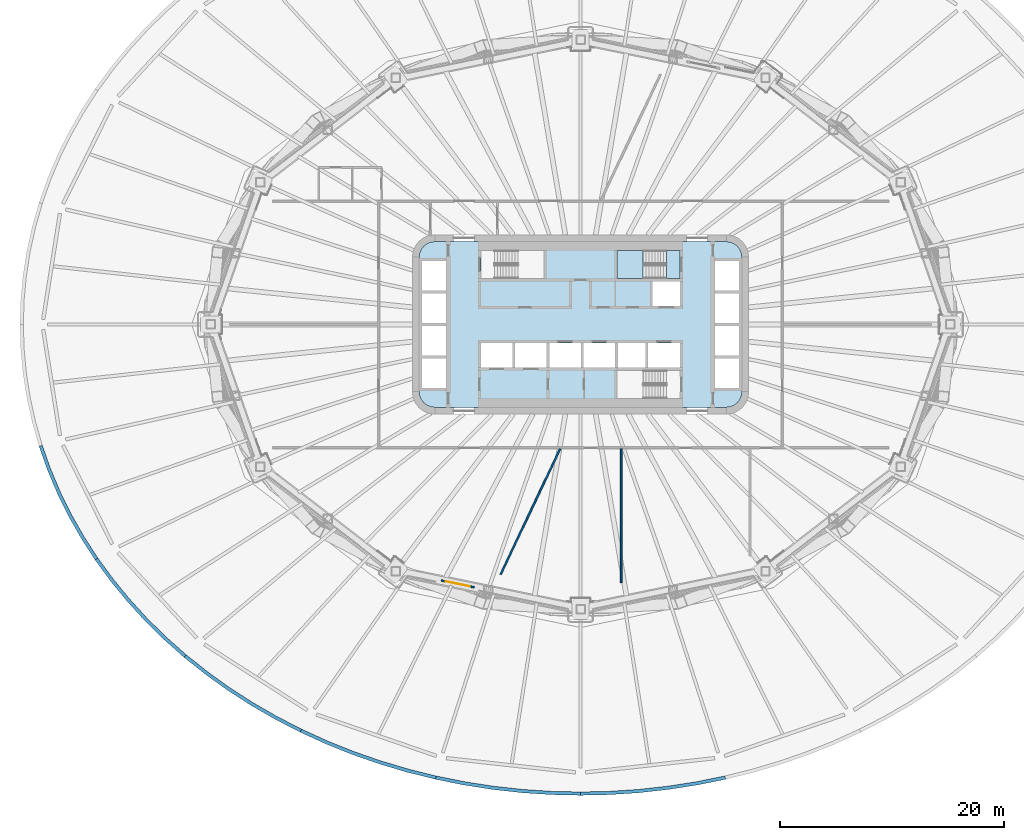
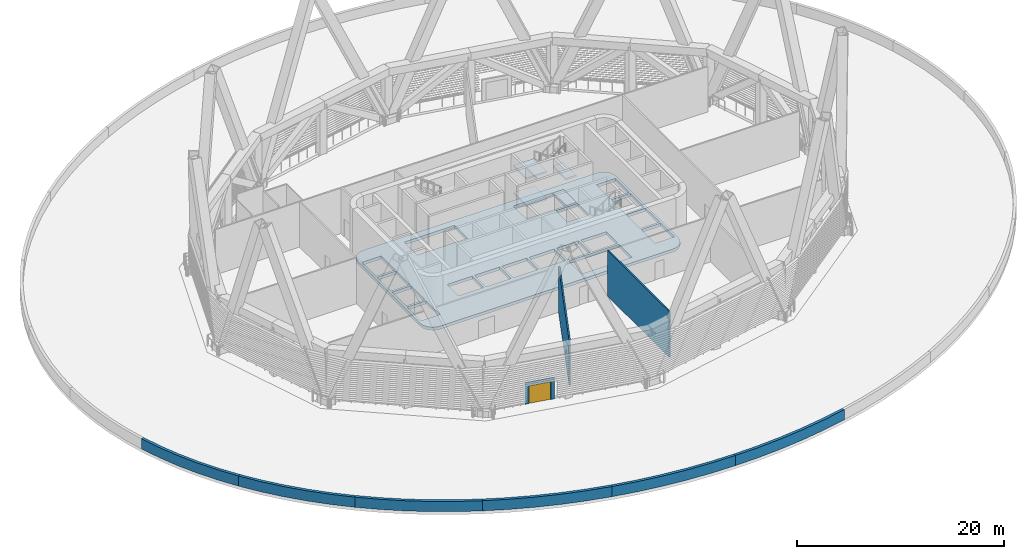
# One storey, part 7 of 27: 9 walls, 5 slabs, 1 door, 1 opening, 1 element without a shape of its own.
"""IFC4 building model written with IfcOpenShell, lengths in metres."""

from ifc_helpers import new_model, si_unit, direction, frame, frame_2d, origin, place, context, subcontext, project, spatial, polyline, rectangle, outline, extrude, material, layer, layer_set, type_object, element, fill, aggregate, save


model = new_model("IFC4")

# Units and contexts
model_context = context("Model", 3, precision=1e-05, world=origin(), true_north=direction((0.0, 1.0)))
body_context = subcontext(model_context, "Body", "Model", "MODEL_VIEW")
ifc_project = project(units=[si_unit("LENGTHUNIT", "METRE"), si_unit("AREAUNIT", "SQUARE_METRE"), si_unit("VOLUMEUNIT", "CUBIC_METRE"), si_unit("PLANEANGLEUNIT", "RADIAN"), si_unit("MASSUNIT", "GRAM", prefix="KILO")], contexts=[model_context])

# Site, building, storey
site_placement = place(None, origin())
site = spatial("IfcSite", under=ifc_project, at=site_placement, CompositionType="ELEMENT")
building_placement = place(site_placement, origin())
building = spatial("IfcBuilding", under=site, at=building_placement, Name="Sahrelin Media Tower", CompositionType="ELEMENT")
storey_placement = place(building_placement, frame((0.0, 0.0, 44.0)))
storey = spatial("IfcBuildingStorey", under=building, at=storey_placement, Name="L06", CompositionType="ELEMENT", Elevation=44.0)

# Slab
ifc_material_1 = material(Name="Concrete C40/50", Category="concrete")
ifc_layer_1 = layer(ifc_material_1, 0.35009765625)
ifc_layer_set_1 = layer_set([ifc_layer_1], Name="Core floor slab 350")
slab_type_1 = type_object("IfcSlabType", Name="Core floor slab 350", PredefinedType="FLOOR", material=ifc_layer_set_1)
slab_1_placement = place(storey_placement, frame((0.0, 0.0, -0.35009765625)))
element("IfcSlab", 1, at=slab_1_placement, inside=storey, type_object=slab_type_1, Name="Core floor", PredefinedType="FLOOR", context=body_context, shape_type="SweptSolid", body=[
    extrude(outline(polyline([(-13.986328125, 6.986328125), (-14.2080078125, 6.697509765625), (-14.347412109375, 6.361083984375), (-14.39990234375, 5.960693359375), (-14.39990234375, -5.960693359375), (-14.347412109375, -6.361083984375), (-14.2080078125, -6.697509765625), (-13.986328125, -6.986328125), (-13.697509765625, -7.2080078125), (-13.361083984375, -7.347412109375), (-12.960693359375, -7.39990234375), (12.960693359375, -7.39990234375), (13.361083984375, -7.347412109375), (13.697509765625, -7.2080078125), (13.986328125, -6.986328125), (14.2080078125, -6.697509765625), (14.347412109375, -6.361083984375), (14.39990234375, -5.960693359375), (14.39990234375, 5.960693359375), (14.347412109375, 6.361083984375), (14.2080078125, 6.697509765625), (13.986328125, 6.986328125), (13.697509765625, 7.2080078125), (13.361083984375, 7.347412109375), (12.960693359375, 7.39990234375), (-12.960693359375, 7.39990234375), (-13.361083984375, 7.347412109375), (-13.697509765625, 7.2080078125), (-13.986328125, 6.986328125)]), holes=[polyline([(-14.14990234375, 5.675048828125), (-14.14990234375, 3.02490234375), (-12.0, 3.02490234375), (-12.0, 5.675048828125), (-14.14990234375, 5.675048828125)]), polyline([(-12.0, 2.77490234375), (-14.14990234375, 2.77490234375), (-14.14990234375, 0.125), (-12.0, 0.125), (-12.0, 2.77490234375)]), polyline([(-12.0, -2.77490234375), (-12.0, -0.125), (-14.14990234375, -0.125), (-14.14990234375, -2.77490234375), (-12.0, -2.77490234375)]), polyline([(-14.14990234375, -5.675048828125), (-12.0, -5.675048828125), (-12.0, -3.02490234375), (-14.14990234375, -3.02490234375), (-14.14990234375, -5.675048828125)]), polyline([(12.0, 5.675048828125), (12.0, 3.02490234375), (14.14990234375, 3.02490234375), (14.14990234375, 5.675048828125), (12.0, 5.675048828125)]), polyline([(14.14990234375, 2.77490234375), (12.0, 2.77490234375), (12.0, 0.125), (14.14990234375, 0.125), (14.14990234375, 2.77490234375)]), polyline([(14.14990234375, -2.77490234375), (14.14990234375, -0.125), (12.0, -0.125), (12.0, -2.77490234375), (14.14990234375, -2.77490234375)]), polyline([(12.0, -5.675048828125), (14.14990234375, -5.675048828125), (14.14990234375, -3.02490234375), (12.0, -3.02490234375), (12.0, -5.675048828125)]), polyline([(6.425048828125, 3.85009765625), (6.425048828125, 1.64990234375), (8.875, 1.64990234375), (8.875, 3.85009765625), (6.425048828125, 3.85009765625)]), polyline([(-6.074951171875, -1.64990234375), (-8.875, -1.64990234375), (-8.875, -3.85009765625), (-6.074951171875, -3.85009765625), (-6.074951171875, -1.64990234375)]), polyline([(-3.02490234375, -3.85009765625), (-3.02490234375, -1.64990234375), (-5.824951171875, -1.64990234375), (-5.824951171875, -3.85009765625), (-3.02490234375, -3.85009765625)]), polyline([(-2.77490234375, -3.85009765625), (0.02490234375, -3.85009765625), (0.02490234375, -1.64990234375), (-2.77490234375, -1.64990234375), (-2.77490234375, -3.85009765625)]), polyline([(0.27490234375, -1.64990234375), (0.27490234375, -3.85009765625), (3.074951171875, -3.85009765625), (3.074951171875, -1.64990234375), (0.27490234375, -1.64990234375)]), polyline([(5.77490234375, -1.64990234375), (3.324951171875, -1.64990234375), (3.324951171875, -3.85009765625), (5.77490234375, -3.85009765625), (5.77490234375, -1.64990234375)]), polyline([(8.875, -3.85009765625), (8.875, -1.64990234375), (6.02490234375, -1.64990234375), (6.02490234375, -3.85009765625), (8.875, -3.85009765625)]), polyline([(-8.875, 6.60009765625), (-8.875, 4.10009765625), (-3.27490234375, 4.10009765625), (-3.27490234375, 6.60009765625), (-8.875, 6.60009765625)]), polyline([(3.27490234375, 4.10009765625), (8.875, 4.10009765625), (8.875, 6.60009765625), (3.27490234375, 6.60009765625), (3.27490234375, 4.10009765625)]), polyline([(3.27490234375, -4.10009765625), (3.27490234375, -6.60009765625), (8.875, -6.60009765625), (8.875, -4.10009765625), (3.27490234375, -4.10009765625)])]), origin(), (0.0, 0.0, 1.0), 0.35009765625),
])

# Stair, slabs
stair_type = type_object("IfcStairType", Name="Exit stair 1200", PredefinedType="HALF_TURN_STAIR", material=ifc_material_1)
placement = place(storey_placement, origin())
stair = element("IfcStair", 2, at=placement, inside=storey, type_object=stair_type, Name="L06 Exit stair ST3", PredefinedType="HALF_TURN_STAIR")
ifc_layer_2 = layer(ifc_material_1, 0.199951171875)
ifc_layer_set_2 = layer_set([ifc_layer_2], Name="Stair landing 200")
slab_type_2 = type_object("IfcSlabType", Name="Stair landing 200", PredefinedType="LANDING", material=ifc_layer_set_2)
slab_2_placement = place(storey_placement, frame((0.0, 0.0, 1.39990234375)))
slab_2 = element("IfcSlab", 3, at=slab_2_placement, type_object=slab_type_2, Name="ST3 landing 1", PredefinedType="LANDING", context=body_context, shape_type="SweptSolid", body=[
    extrude(outline(polyline([(5.594970703125, 6.60009765625), (3.27490234375, 6.60009765625), (3.27490234375, 4.10009765625), (5.594970703125, 4.10009765625), (5.594970703125, 6.60009765625)])), origin(), (0.0, 0.0, 1.0), 0.2001953125),
])
slab_3_placement = place(storey_placement, frame((0.0, 0.0, 3.0)))
slab_3 = element("IfcSlab", 4, at=slab_3_placement, type_object=slab_type_2, Name="ST3 landing 2", PredefinedType="LANDING", context=body_context, shape_type="SweptSolid", body=[
    extrude(outline(polyline([(8.875, 6.60009765625), (7.675048828125, 6.60009765625), (7.675048828125, 4.10009765625), (8.875, 4.10009765625), (8.875, 6.60009765625)])), origin(), (0.0, 0.0, 1.0), 0.199951171875),
])
slab_4_placement = place(storey_placement, frame((0.0, 0.0, 4.60009765625)))
slab_4 = element("IfcSlab", 5, at=slab_4_placement, type_object=slab_type_2, Name="ST3 landing 3", PredefinedType="LANDING", context=body_context, shape_type="SweptSolid", body=[
    extrude(outline(polyline([(5.594970703125, 6.60009765625), (3.27490234375, 6.60009765625), (3.27490234375, 4.10009765625), (5.594970703125, 4.10009765625), (5.594970703125, 6.60009765625)])), origin(), (0.0, 0.0, 1.0), 0.199951171875),
])
slab_5_placement = place(storey_placement, frame((0.0, 0.0, -0.199951171875)))
slab_5 = element("IfcSlab", 6, at=slab_5_placement, type_object=slab_type_2, Name="ST3 landing 4", PredefinedType="LANDING", context=body_context, shape_type="SweptSolid", body=[
    extrude(outline(polyline([(8.875, 6.60009765625), (7.675048828125, 6.60009765625), (7.675048828125, 4.10009765625), (8.875, 4.10009765625), (8.875, 6.60009765625)])), origin(), (0.0, 0.0, 1.0), 0.199951171875),
])
aggregate(stair, [slab_2, slab_3, slab_4, slab_5])

# Walls
ifc_material_2 = material(Name="Fire-rated gypsum board partition")
ifc_layer_3 = layer(ifc_material_2, 0.14990234375)
ifc_layer_set_3 = layer_set([ifc_layer_3], Name="Fire-rated partition 150")
wall_type_1 = type_object("IfcWallType", Name="Fire-rated partition 150", PredefinedType="PARTITIONING", material=ifc_layer_set_3)
wall_1_placement = place(storey_placement, frame((-1.829345703125, -11.107177734375, 0.0), z_axis=(0.0, 0.0, 1.0), x_axis=(-0.427950706934, -0.903802075918, 0.0)))
element("IfcWall", 7, at=wall_1_placement, inside=storey, type_object=wall_type_1, Name="Wall", PredefinedType="PARTITIONING", context=body_context, shape_type="SweptSolid", body=[
    extrude(rectangle(XDim=12.380126953125, YDim=0.14990234375, at=frame_2d((6.18994140625, 0.0))), origin(), (0.0, 0.0, 1.0), 5.39501953125),
])
wall_2_placement = place(storey_placement, frame((3.6298828125, -11.074951171875, 0.0), z_axis=(0.0, 0.0, 1.0), x_axis=(0.0, -1.0, 0.0)))
element("IfcWall", 8, at=wall_2_placement, inside=storey, type_object=wall_type_1, Name="Wall", PredefinedType="PARTITIONING", context=body_context, shape_type="SweptSolid", body=[
    extrude(rectangle(XDim=11.942626953125, YDim=0.14990234375, at=frame_2d((5.97119140625, 0.0))), origin(), (0.0, 0.0, 1.0), 5.39501953125),
])

# Wall, opening, door
ifc_material_3 = material(Name="Aluminium louvre cladding 6063-T6", Category="aluminium")
ifc_layer_4 = layer(ifc_material_3, 0.14990234375)
ifc_layer_set_4 = layer_set([ifc_layer_4], Name="Plant louvre door wall")
wall_type_2 = type_object("IfcWallType", Name="Plant louvre door wall", PredefinedType="SOLIDWALL", material=ifc_layer_set_4)
wall_3_placement = place(storey_placement, frame((-9.48779296875, -23.443115234375, 0.0), z_axis=(0.0, 0.0, 1.0), x_axis=(-0.97938938672, 0.20198125948, 0.0)))
wall_3 = element("IfcWall", 9, at=wall_3_placement, inside=storey, type_object=wall_type_2, Name="Plant louvre door wall L06-17", PredefinedType="SOLIDWALL", context=body_context, shape_type="SweptSolid", body=[
    extrude(rectangle(XDim=3.0, YDim=0.14990234375, at=frame_2d((1.5, 0.0))), origin(), (0.0, 0.0, 1.0), 2.5),
])
opening_placement = place(wall_3_placement, frame((0.39990234375, 0.0, 0.0)))
opening = element("IfcOpeningElement", 10, at=opening_placement, cuts=wall_3, Name="Opening MD02", PredefinedType="OPENING", context=body_context, shape_type="SweptSolid", body=[
    extrude(rectangle(XDim=2.199951171875, YDim=2.10009765625, at=frame_2d((1.10009765625, 1.050048828125))), frame((0.0, 0.074951171875, 0.0), z_axis=(0.0, -1.0, 0.0), x_axis=(1.0, 0.0, 0.0)), (0.0, 0.0, 1.0), 0.14990234375),
])
ifc_material_4 = material(Name="Champagne anodised aluminium 6063-T6", Category="aluminium")
door_type = type_object("IfcDoorType", Name="Plant maintenance door 2200x2100", OperationType="DOUBLE_DOOR_SINGLE_SWING", PredefinedType="DOOR", material=ifc_material_4)
door_placement = place(opening_placement, origin())
door = element("IfcDoor", 11, at=door_placement, inside=storey, type_object=door_type, Name="Plant maintenance door MD02", OperationType="DOUBLE_DOOR_SINGLE_SWING", OverallHeight=2.10009765625, OverallWidth=2.199951171875, PredefinedType="DOOR", context=body_context, shape_type="SweptSolid", body=[
    extrude(rectangle(XDim=2.199951171875, YDim=2.10009765625, at=frame_2d((1.10009765625, 1.050048828125))), frame((0.0, 0.02490234375, 0.0), z_axis=(0.0, -1.0, 0.0), x_axis=(1.0, 0.0, 0.0)), (0.0, 0.0, 1.0), 0.050048828125),
])
fill(opening, door)

# Walls
ifc_layer_5 = layer(ifc_material_1, 0.300048828125)
ifc_layer_set_5 = layer_set([ifc_layer_5], Name="Podium parapet")
wall_type_3 = type_object("IfcWallType", Name="Podium parapet", PredefinedType="PARAPET", material=ifc_layer_set_5)
element("IfcWall", 12, at=placement, inside=storey, type_object=wall_type_3, Name="Podium roof parapet 14", PredefinedType="PARAPET", context=body_context, shape_type="SweptSolid", body=[
    extrude(outline(polyline([(-48.29638671875, -10.870361328125), (-47.552734375, -12.978759765625), (-46.678955078125, -15.051513671875), (-45.67724609375, -17.0830078125), (-44.55029296875, -19.067626953125), (-43.30126953125, -21.0), (-43.05419921875, -20.830078125), (-44.293701171875, -18.912109375), (-45.412109375, -16.9423828125), (-46.406005859375, -14.9267578125), (-47.27294921875, -12.87060546875), (-48.010498046875, -10.779296875), (-48.29638671875, -10.870361328125)])), origin(), (0.0, 0.0, 1.0), 1.199951171875),
])
element("IfcWall", 13, at=placement, inside=storey, type_object=wall_type_3, Name="Podium roof parapet 15", PredefinedType="PARAPET", context=body_context, shape_type="SweptSolid", body=[
    extrude(outline(polyline([(-43.30126953125, -21.0), (-41.93359375, -22.874755859375), (-40.45068359375, -24.68701171875), (-38.857421875, -26.431396484375), (-37.1572265625, -28.103515625), (-35.355224609375, -29.698486328125), (-35.162353515625, -29.46875), (-36.95263671875, -27.884033203125), (-38.641357421875, -26.223388671875), (-40.223876953125, -24.49072265625), (-41.6962890625, -22.69140625), (-43.05419921875, -20.830078125), (-43.30126953125, -21.0)])), origin(), (0.0, 0.0, 1.0), 1.199951171875),
])
element("IfcWall", 14, at=placement, inside=storey, type_object=wall_type_3, Name="Podium roof parapet 16", PredefinedType="PARAPET", context=body_context, shape_type="SweptSolid", body=[
    extrude(outline(polyline([(-35.355224609375, -29.698486328125), (-33.45654296875, -31.212158203125), (-31.466064453125, -32.64013671875), (-29.389404296875, -33.978759765625), (-27.23193359375, -35.22412109375), (-25.0, -36.373046875), (-24.869140625, -36.103271484375), (-27.08837890625, -34.960693359375), (-29.23291015625, -33.72265625), (-31.29736328125, -32.39208984375), (-33.275390625, -30.972900390625), (-35.162353515625, -29.46875), (-35.355224609375, -29.698486328125)])), origin(), (0.0, 0.0, 1.0), 1.199951171875),
])
element("IfcWall", 15, at=placement, inside=storey, type_object=wall_type_3, Name="Podium roof parapet 17", PredefinedType="PARAPET", context=body_context, shape_type="SweptSolid", body=[
    extrude(outline(polyline([(-25.0, -36.373046875), (-22.699462890625, -37.42236328125), (-20.3369140625, -38.368896484375), (-17.91845703125, -39.21044921875), (-15.45068359375, -39.9443359375), (-12.94091796875, -40.56884765625), (-12.875, -40.276123046875), (-15.371826171875, -39.655029296875), (-17.826416015625, -38.9248046875), (-20.231689453125, -38.087890625), (-22.58154296875, -37.146484375), (-24.869140625, -36.103271484375), (-25.0, -36.373046875)])), origin(), (0.0, 0.0, 1.0), 1.199951171875),
])
element("IfcWall", 16, at=placement, inside=storey, type_object=wall_type_3, Name="Podium roof parapet 18", PredefinedType="PARAPET", context=body_context, shape_type="SweptSolid", body=[
    extrude(outline(polyline([(-12.94091796875, -40.56884765625), (-10.3955078125, -41.082275390625), (-7.82177734375, -41.48291015625), (-5.226318359375, -41.77001953125), (-2.61669921875, -41.9423828125), (0.0, -42.0), (0.0, -41.699951171875), (-2.603515625, -41.642578125), (-5.199951171875, -41.47119140625), (-7.781982421875, -41.185546875), (-10.343017578125, -40.786865234375), (-12.875, -40.276123046875), (-12.94091796875, -40.56884765625)])), origin(), (0.0, 0.0, 1.0), 1.199951171875),
])
element("IfcWall", 17, at=placement, inside=storey, type_object=wall_type_3, Name="Podium roof parapet 19", PredefinedType="PARAPET", context=body_context, shape_type="SweptSolid", body=[
    extrude(outline(polyline([(0.0, -42.0), (2.61669921875, -41.9423828125), (5.226318359375, -41.77001953125), (7.82177734375, -41.48291015625), (10.3955078125, -41.082275390625), (12.94091796875, -40.56884765625), (12.875, -40.276123046875), (10.343017578125, -40.786865234375), (7.781982421875, -41.185546875), (5.199951171875, -41.47119140625), (2.603515625, -41.642578125), (0.0, -41.699951171875), (0.0, -42.0)])), origin(), (0.0, 0.0, 1.0), 1.199951171875),
])

save(model, "model.ifc")
